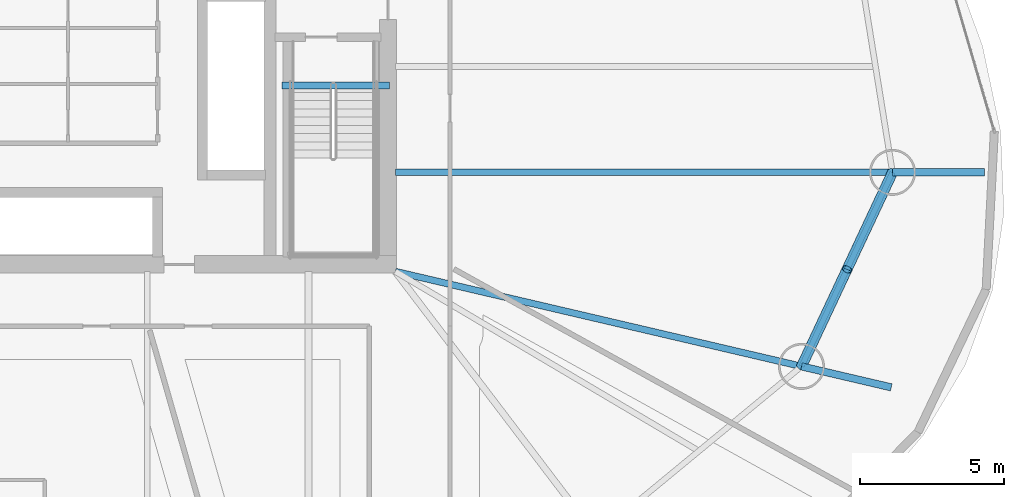
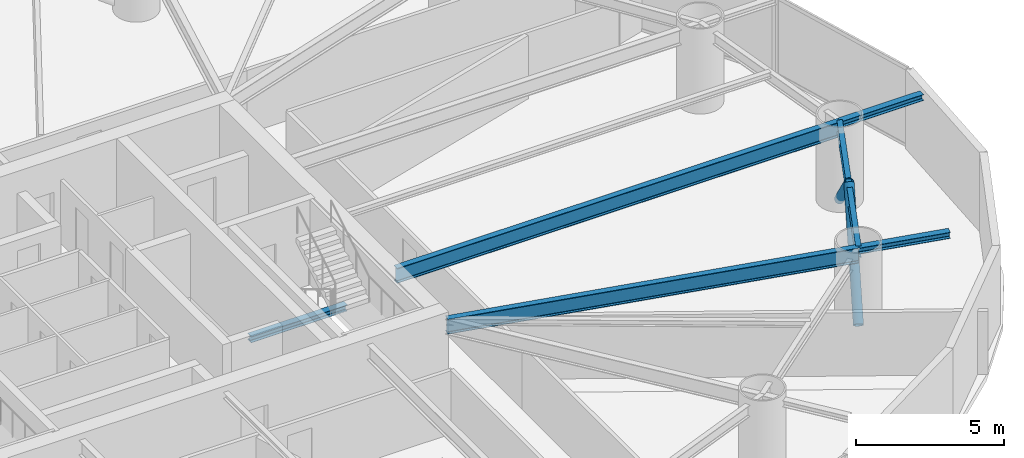
# One storey, part 12 of 30: 6 beams, 2 members.
"""IFC4 building model written with IfcOpenShell, lengths in metres."""

import ifcopenshell
import ifcopenshell.guid

model = None  # the IFC model being written
_history = None  # IfcOwnerHistory: only IFC2X3 demands one
_inside = {}  # id of a spatial element -> (the spatial element, [elements in it])
_under = {}  # id of a project, library or spatial element -> (it, [spatial elements below it])
_declared = {}  # id of a project -> (the project, [libraries it declares])
_typed = {}  # id of a type object -> (the type object, [elements of that type])
_made_of = {}  # id of a material, layer set ... -> (it, [elements and type objects made of it])


def new_model(schema):
    """Start an empty IFC model of exactly this schema.

    Asked for "IFC4X3", IfcOpenShell would pick the latest addendum, in which some entities
    have other attributes; the version numbers below select the first issue.
    IFC2X3 requires an IfcOwnerHistory on every rooted entity: one is made here for all.
    """
    global model, _history
    if schema == "IFC4X3":
        model = ifcopenshell.file(schema_version=(4, 3, 0, 0))
    else:
        model = ifcopenshell.file(schema=schema)
    _inside.clear()
    _under.clear()
    _declared.clear()
    _typed.clear()
    _made_of.clear()
    _history = None
    if model.schema == "IFC2X3":
        org = make("IfcOrganization", Name="unknown")
        user = make(
            "IfcPersonAndOrganization",
            ThePerson=make("IfcPerson", FamilyName="unknown"),
            TheOrganization=org,
        )
        app = make(
            "IfcApplication",
            ApplicationDeveloper=org,
            Version="unknown",
            ApplicationFullName="unknown",
            ApplicationIdentifier="unknown",
        )
        _history = make(
            "IfcOwnerHistory",
            OwningUser=user,
            OwningApplication=app,
            ChangeAction="ADDED",
            CreationDate=0,
        )
    return model


def make(cls, **values):
    """One entity of the class cls with the attributes given. An attribute that is None is left unset."""
    return model.create_entity(
        cls, **{name: value for name, value in values.items() if value is not None}
    )


def rooted(cls, **values):
    """An entity with a GlobalId (a new one), such as an element, a storey or a relation."""
    return make(cls, GlobalId=ifcopenshell.guid.new(), OwnerHistory=_history, **values)


def si_unit(unit_type, name, prefix=None):
    """IfcSIUnit, for example si_unit("LENGTHUNIT", "METRE", prefix="MILLI")."""
    return make("IfcSIUnit", UnitType=unit_type, Prefix=prefix, Name=name)


def assignment(units):
    """IfcUnitAssignment: the units of a project."""
    return None if units is None else make("IfcUnitAssignment", Units=units)


def point(xyz):
    """IfcCartesianPoint."""
    return None if xyz is None else make("IfcCartesianPoint", Coordinates=xyz)


def direction(xyz):
    """IfcDirection."""
    return None if xyz is None else make("IfcDirection", DirectionRatios=xyz)


def frame(location, z_axis=None, x_axis=None):
    """IfcAxis2Placement3D, a coordinate frame: its origin and axes. An axis left out is left unset."""
    return make(
        "IfcAxis2Placement3D",
        Location=point(location),
        Axis=direction(z_axis),
        RefDirection=direction(x_axis),
    )


def frame_2d(location, x_axis=None):
    """IfcAxis2Placement2D, a coordinate frame in the plane: its origin and x axis."""
    return make(
        "IfcAxis2Placement2D", Location=point(location), RefDirection=direction(x_axis)
    )


def origin():
    """The frame at (0, 0, 0) with its axes left unset."""
    return frame((0.0, 0.0, 0.0))


def origin_2d():
    """The frame at (0, 0) in the plane with its x axis left unset."""
    return frame_2d((0.0, 0.0))


def place(relative_to, where):
    """IfcLocalPlacement: puts the frame where relative to a parent placement (None: the world)."""
    return make(
        "IfcLocalPlacement", PlacementRelTo=relative_to, RelativePlacement=where
    )


def context(
    kind, dimensions, precision=None, world=None, true_north=None, identifier=None
):
    """IfcGeometricRepresentationContext, for example the 3D "Model" context."""
    return make(
        "IfcGeometricRepresentationContext",
        ContextIdentifier=identifier,
        ContextType=kind,
        CoordinateSpaceDimension=dimensions,
        Precision=precision,
        WorldCoordinateSystem=world,
        TrueNorth=true_north,
    )


def subcontext(parent, identifier, kind, view, scale=None):
    """IfcGeometricRepresentationSubContext, for example "Body" below "Model"."""
    return make(
        "IfcGeometricRepresentationSubContext",
        ContextIdentifier=identifier,
        ContextType=kind,
        ParentContext=parent,
        TargetScale=scale,
        TargetView=view,
    )


def project(units=None, contexts=None):
    """IfcProject with its units and contexts."""
    return rooted(
        "IfcProject",
        Name="project",
        RepresentationContexts=contexts,
        UnitsInContext=assignment(units),
    )


def spatial(cls, under=None, at=None, **own):
    """A site, building, storey or space (cls), placed at a placement, below another one or the project."""
    s = rooted(cls, ObjectPlacement=at, **own)
    if under is not None:
        _under.setdefault(under.id(), (under, []))[1].append(s)
    return s


def profile(cls, at=None, kind="AREA", **sizes):
    """A parametric profile (cls). Its sizes go by their IFC names, for example OverallWidth=200.0."""
    return make(cls, ProfileType=kind, Position=at, **sizes)


def hollow_circle(**sizes):
    """IfcCircleHollowProfileDef."""
    return profile("IfcCircleHollowProfileDef", **sizes)


def i_section(**sizes):
    """IfcIShapeProfileDef."""
    return profile("IfcIShapeProfileDef", **sizes)


def extrude(swept, where, along, depth):
    """IfcExtrudedAreaSolid: the profile swept, set in the frame where, extruded along a direction by depth."""
    return make(
        "IfcExtrudedAreaSolid",
        SweptArea=swept,
        Position=where,
        ExtrudedDirection=direction(along),
        Depth=depth,
    )


def shape(context_of_items, identifier, shape_type, items):
    """IfcShapeRepresentation: the items that make up one representation, for example the "Body"."""
    return make(
        "IfcShapeRepresentation",
        ContextOfItems=context_of_items,
        RepresentationIdentifier=identifier,
        RepresentationType=shape_type,
        Items=items,
    )


def material(Name=None, Category=None):
    """IfcMaterial."""
    return make("IfcMaterial", Name=Name, Category=Category)


def material_profile(
    of_material, cross_section, Name=None, Category=None, Priority=None
):
    """IfcMaterialProfile: a cross section and its material."""
    return make(
        "IfcMaterialProfile",
        Name=Name,
        Material=of_material,
        Profile=cross_section,
        Priority=Priority,
        Category=Category,
    )


def profile_set(profiles, Name=None, composite=None):
    """IfcMaterialProfileSet."""
    return make(
        "IfcMaterialProfileSet",
        Name=Name,
        MaterialProfiles=profiles,
        CompositeProfile=composite,
    )


def made_of(thing, what):
    """Note that an element or type object is made of a material, layer set ...; save() writes the relation."""
    if what is not None:
        _made_of.setdefault(what.id(), (what, []))[1].append(thing)
    return thing


def type_object(cls, material=None, **own):
    """A type object (cls), such as IfcWallType, which elements share."""
    return made_of(rooted(cls, **own), material)


def element(
    cls,
    number,
    at=None,
    inside=None,
    cuts=None,
    type_object=None,
    material=None,
    context=None,
    identifier="Body",
    shape_type=None,
    held_by="IfcProductDefinitionShape",
    body=None,
    shapes=None,
    **own,
):
    """One element of the class cls, such as IfcWall. Its Tag is "e" and its number.

    at: its placement. inside: the storey or other place that contains it. cuts: it is an
    opening in that element (IfcRelVoidsElement). A single representation is given by context,
    identifier, shape_type and body (its items); several are given by shapes. held_by: the class
    of the entity that holds the representations. save() writes the other relations.
    """
    e = rooted(cls, Tag="e%d" % number, ObjectPlacement=at, **own)
    if body is not None:
        shapes = [shape(context, identifier, shape_type, body)]
    if shapes is not None:
        e.Representation = make(held_by, Representations=shapes)
    if inside is not None:
        _inside.setdefault(inside.id(), (inside, []))[1].append(e)
    if cuts is not None:
        rooted(
            "IfcRelVoidsElement", RelatingBuildingElement=cuts, RelatedOpeningElement=e
        )
    if type_object is not None:
        _typed.setdefault(type_object.id(), (type_object, []))[1].append(e)
    return made_of(e, material)


def aggregate(whole, parts):
    """IfcRelAggregates: a whole, such as a stair, and the parts it consists of."""
    return rooted("IfcRelAggregates", RelatingObject=whole, RelatedObjects=parts)


def save(model, path):
    """Write the relations noted so far, then the file.

    IfcRelAggregates (storeys below a building ...), IfcRelContainedInSpatialStructure (elements
    in a storey), IfcRelDefinesByType, IfcRelAssociatesMaterial and IfcRelDeclares: one each for
    every whole, place, type object, material and project.
    """
    for whole, parts in _under.values():
        aggregate(whole, parts)
    for where, things in _inside.values():
        rooted(
            "IfcRelContainedInSpatialStructure",
            RelatedElements=things,
            RelatingStructure=where,
        )
    for kind, things in _typed.values():
        rooted("IfcRelDefinesByType", RelatedObjects=things, RelatingType=kind)
    for what, things in _made_of.values():
        rooted("IfcRelAssociatesMaterial", RelatedObjects=things, RelatingMaterial=what)
    for by, libraries in _declared.values():
        rooted("IfcRelDeclares", RelatingContext=by, RelatedDefinitions=libraries)
    model.write(path)


model = new_model("IFC4")

# Units and contexts
model_context = context("Model", 3, precision=1e-05, world=origin(), true_north=direction((0.0, 1.0)))
body_context = subcontext(model_context, "Body", "Model", "MODEL_VIEW")
ifc_project = project(units=[si_unit("LENGTHUNIT", "METRE"), si_unit("AREAUNIT", "SQUARE_METRE"), si_unit("VOLUMEUNIT", "CUBIC_METRE"), si_unit("PLANEANGLEUNIT", "RADIAN"), si_unit("MASSUNIT", "GRAM", prefix="KILO")], contexts=[model_context])

# Site, building, storey
site_placement = place(None, origin())
site = spatial("IfcSite", under=ifc_project, at=site_placement, CompositionType="ELEMENT")
building_placement = place(site_placement, origin())
building = spatial("IfcBuilding", under=site, at=building_placement, Name="Bramvorn Convention Spire", CompositionType="ELEMENT")
storey_placement = place(building_placement, frame((0.0, 0.0, 90.39990234375)))
storey = spatial("IfcBuildingStorey", under=building, at=storey_placement, Name="L21", CompositionType="ELEMENT", Elevation=90.39990234375)

# Beams
ifc_material = material(Name="Steel CSA G40.21 Grade 350 (350W)", Category="steel")
ifc_material_profile_1 = material_profile(ifc_material, i_section(OverallWidth=0.25390625, OverallDepth=0.2529296875, WebThickness=0.008544921875, FlangeThickness=0.01416015625, FilletRadius=0.011962890625, at=origin_2d()))
ifc_profile_set_1 = profile_set([ifc_material_profile_1], Name="Steel CSA G40.21 Grade 350 (350W) - W250X73")
beam_type_1 = type_object("IfcBeamType", Name="BM-W250X73", PredefinedType="BEAM", material=ifc_profile_set_1)
beam_1_placement = place(storey_placement, frame((66.519775390625, 21.99169921875, 3.12353515625), z_axis=(1.0, 0.0, 0.0), x_axis=(0.0, 1.0, 0.0)))
element("IfcBeam", 1, at=beam_1_placement, inside=storey, type_object=beam_type_1, Name="L21 slab-edge cantilever tip beam MC01", PredefinedType="BEAM", context=body_context, shape_type="SweptSolid", body=[
    extrude(i_section(OverallWidth=0.25390625, OverallDepth=0.2529296875, WebThickness=0.008544921875, FlangeThickness=0.01416015625, FilletRadius=0.011962890625, at=origin_2d()), origin(), (0.0, 0.0, 1.0), 3.199951171875),
])
beam_2_placement = place(storey_placement, frame((63.35888671875, 15.253662109375, 3.12353515625), z_axis=(0.973778145797, -0.227499720367, 0.0), x_axis=(0.227499720367, 0.973778145797, 0.0)))
element("IfcBeam", 2, at=beam_2_placement, inside=storey, type_object=beam_type_1, Name="L21 slab-edge cantilever tip beam MC16", PredefinedType="BEAM", context=body_context, shape_type="SweptSolid", body=[
    extrude(i_section(OverallWidth=0.25390625, OverallDepth=0.2529296875, WebThickness=0.008544921875, FlangeThickness=0.01416015625, FilletRadius=0.011962890625, at=origin_2d()), origin(), (0.0, 0.0, 1.0), 3.2001953125),
])
beam_3_placement = place(storey_placement, frame((45.31005859375, 25.010009765625, -0.12646484375), z_axis=(1.0, 0.0, 0.0), x_axis=(0.0, 1.0, 0.0)))
element("IfcBeam", 3, at=beam_3_placement, inside=storey, type_object=beam_type_1, Name="L21 ST2 stair arrival header beam", PredefinedType="BEAM", context=body_context, shape_type="SweptSolid", body=[
    extrude(i_section(OverallWidth=0.25390625, OverallDepth=0.2529296875, WebThickness=0.008544921875, FlangeThickness=0.01416015625, FilletRadius=0.011962890625, at=origin_2d()), origin(), (0.0, 0.0, 1.0), 3.739990234375),
])
ifc_material_profile_2 = material_profile(ifc_material, i_section(OverallWidth=0.194091796875, OverallDepth=0.468994140625, WebThickness=0.0126953125, FlangeThickness=0.0205078125, FilletRadius=0.01806640625, at=origin_2d()))
ifc_profile_set_2 = profile_set([ifc_material_profile_2], Name="Steel CSA G40.21 Grade 350 (350W) - W460X106")
beam_type_2 = type_object("IfcBeamType", Name="BM-W460X106", PredefinedType="SPANDREL", material=ifc_profile_set_2)
beam_4_placement = place(storey_placement, frame((63.35888671875, 15.253662109375, 3.015625), z_axis=(0.424701955478, 0.9053332254, 0.0), x_axis=(-0.9053332254, 0.424701955478, 0.0)))
element("IfcBeam", 4, at=beam_4_placement, inside=storey, type_object=beam_type_2, Name="L21 mega-column ring beam 16", PredefinedType="SPANDREL", context=body_context, shape_type="SweptSolid", body=[
    extrude(i_section(OverallWidth=0.194091796875, OverallDepth=0.468994140625, WebThickness=0.0126953125, FlangeThickness=0.0205078125, FilletRadius=0.01806640625, at=origin_2d()), origin(), (0.0, 0.0, 1.0), 7.442626953125),
])
ifc_material_profile_3 = material_profile(ifc_material, i_section(OverallWidth=0.22998046875, OverallDepth=0.616943359375, WebThickness=0.01318359375, FlangeThickness=0.022216796875, FilletRadius=0.02001953125, at=origin_2d()))
ifc_profile_set_3 = profile_set([ifc_material_profile_3], Name="Steel CSA G40.21 Grade 350 (350W) - W610X140")
beam_type_3 = type_object("IfcBeamType", Name="BM-W610X140", PredefinedType="BEAM", material=ifc_profile_set_3)
beam_5_placement = place(storey_placement, frame((49.25, 21.99169921875, 2.941650390625), z_axis=(1.0, 0.0, 0.0), x_axis=(0.0, 1.0, 0.0)))
element("IfcBeam", 5, at=beam_5_placement, inside=storey, type_object=beam_type_3, Name="L21 radial floor girder MC01", PredefinedType="BEAM", context=body_context, shape_type="SweptSolid", body=[
    extrude(i_section(OverallWidth=0.22998046875, OverallDepth=0.616943359375, WebThickness=0.01318359375, FlangeThickness=0.022216796875, FilletRadius=0.02001953125, at=origin_2d()), origin(), (0.0, 0.0, 1.0), 17.269775390625),
])
beam_6_placement = place(storey_placement, frame((49.25, 18.550048828125, 2.941650390625), z_axis=(0.973775294862, -0.227511923018, 0.0), x_axis=(0.227511923018, 0.973775294862, 0.0)))
element("IfcBeam", 6, at=beam_6_placement, inside=storey, type_object=beam_type_3, Name="L21 radial floor girder MC16", PredefinedType="BEAM", context=body_context, shape_type="SweptSolid", body=[
    extrude(i_section(OverallWidth=0.22998046875, OverallDepth=0.616943359375, WebThickness=0.01318359375, FlangeThickness=0.022216796875, FilletRadius=0.02001953125, at=origin_2d()), origin(), (0.0, 0.0, 1.0), 14.48876953125),
])

# Members
ifc_material_profile_4 = material_profile(ifc_material, hollow_circle(Radius=0.177734375, WallThickness=0.015869140625, at=origin_2d()))
ifc_profile_set_4 = profile_set([ifc_material_profile_4], Name="Steel CSA G40.21 Grade 350 (350W) - CHS356X16")
member_type = type_object("IfcMemberType", Name="MBR-CHS356X16", PredefinedType="BRACE", material=ifc_profile_set_4)
for number, where, z_axis, x_axis, name in (
    (7, (63.35888671875, 15.253662109375, 0.0), (0.319854623913, 0.681908513826, 0.65779464754), (-0.905351753695, 0.424662456643, 0.0), "L21 perimeter Gothic lancet brace 16A"),
    (8, (66.519775390625, 21.99169921875, 0.0), (-0.319909760159, -0.681871297566, 0.657806414465), (0.905314694797, -0.424741454752, 0.0), "L21 perimeter Gothic lancet brace 16B"),
):
    element("IfcMember", number, at=place(storey_placement, frame(where, z_axis=z_axis, x_axis=x_axis)), inside=storey, type_object=member_type, Name=name, PredefinedType="BRACE", context=body_context, shape_type="SweptSolid", body=[
        extrude(hollow_circle(Radius=0.177734375, WallThickness=0.015869140625, at=origin_2d()), origin(), (0.0, 0.0, 1.0), 4.940673828125),
    ])

save(model, "model.ifc")
